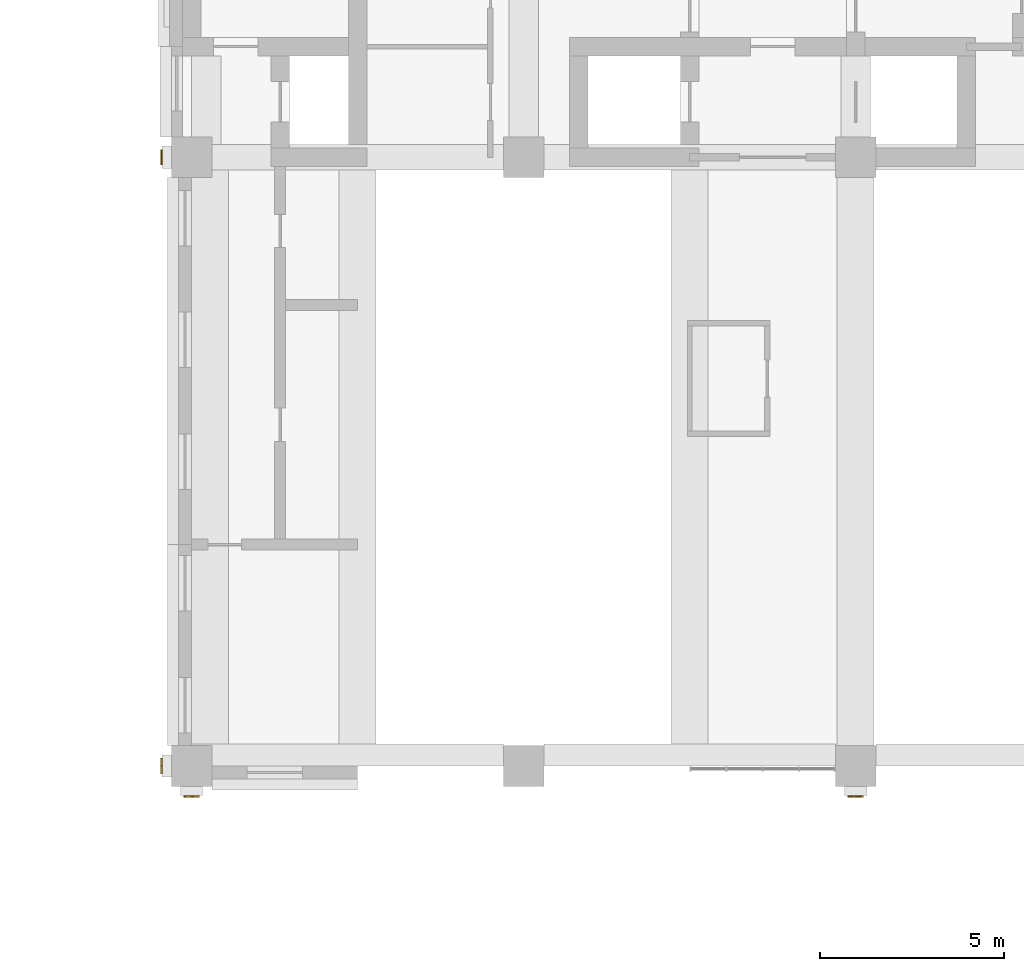
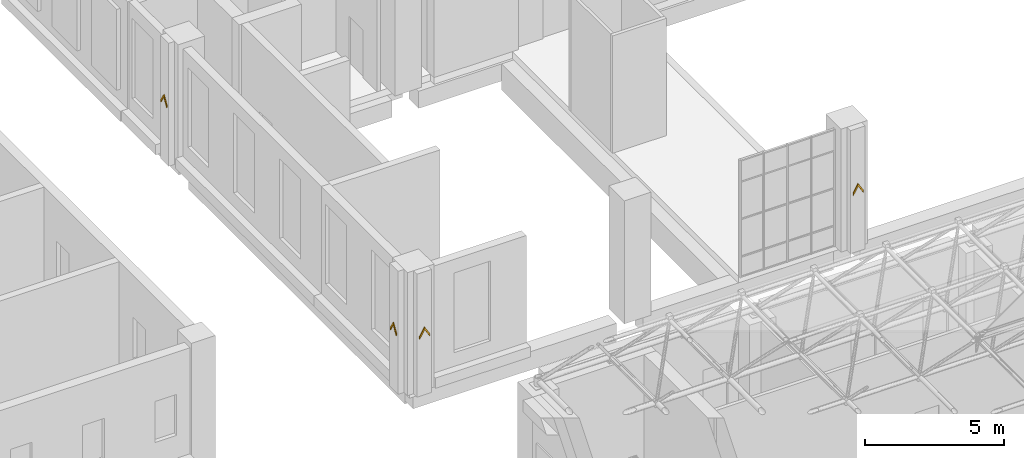
# One storey, part 51 of 53: 4 coverings.
"""IFC4 building model written with IfcOpenShell, lengths in metres."""

from ifc_helpers import new_model, si_unit, direction, frame, origin, place, context, subcontext, project, spatial, polyline, outline, extrude, material, layer, layer_set, type_object, element, save


model = new_model("IFC4")

# Units and contexts
model_context = context("Model", 3, precision=1e-05, world=origin(), true_north=direction((0.0, 1.0)))
body_context = subcontext(model_context, "Body", "Model", "MODEL_VIEW")
ifc_project = project(units=[si_unit("LENGTHUNIT", "METRE"), si_unit("AREAUNIT", "SQUARE_METRE"), si_unit("VOLUMEUNIT", "CUBIC_METRE"), si_unit("PLANEANGLEUNIT", "RADIAN"), si_unit("MASSUNIT", "GRAM", prefix="KILO")], contexts=[model_context])

# Site, building, storey
site_placement = place(None, origin())
site = spatial("IfcSite", under=ifc_project, at=site_placement, CompositionType="ELEMENT")
building_placement = place(site_placement, origin())
building = spatial("IfcBuilding", under=site, at=building_placement, Name="Aurelan Courthouse", CompositionType="ELEMENT")
storey_placement = place(building_placement, frame((0.0, 0.0, 12.0)))
storey = spatial("IfcBuildingStorey", under=building, at=storey_placement, Name="L02", CompositionType="ELEMENT", Elevation=12.0)

# Coverings
ifc_material = material(Name="Bronze sheet cladding")
ifc_layer = layer(ifc_material, 0.0400390625)
ifc_layer_set = layer_set([ifc_layer], Name="Bronze sheet cladding")
covering_type = type_object("IfcCoveringType", Name="Courtroom Block chevron relief 420 x 470", PredefinedType="CLADDING", material=ifc_layer_set)
for number, where, z_axis, x_axis, name in (
    (1, (36.0, 36.699951171875, -12.0), (0.0, -1.0, 0.0), (1.0, 0.0, 0.0), "Chevron relief CH-V2-001"),
    (2, (54.0, 36.699951171875, -12.0), (0.0, -1.0, 0.0), (1.0, 0.0, 0.0), "Chevron relief CH-V2-002"),
    (3, (35.199951171875, 37.5, -12.0), (-1.0, 0.0, 0.0), (0.0, -1.0, 0.0), "Chevron relief CH-V2-009"),
    (4, (35.199951171875, 54.0, -12.0), (-1.0, 0.0, 0.0), (0.0, -1.0, 0.0), "Chevron relief CH-V2-010"),
):
    element("IfcCovering", number, at=place(storey_placement, frame(where, z_axis=z_axis, x_axis=x_axis)), inside=storey, type_object=covering_type, Name=name, PredefinedType="CLADDING", context=body_context, shape_type="SweptSolid", body=[
        extrude(outline(polyline([(-0.2099609375, 14.52490234375), (0.0, 14.875), (0.2099609375, 14.52490234375), (0.2099609375, 14.64501953125), (0.0, 14.9951171875), (-0.2099609375, 14.64501953125), (-0.2099609375, 14.52490234375)])), origin(), (0.0, 0.0, 1.0), 0.0400390625),
    ])

save(model, "model.ifc")
